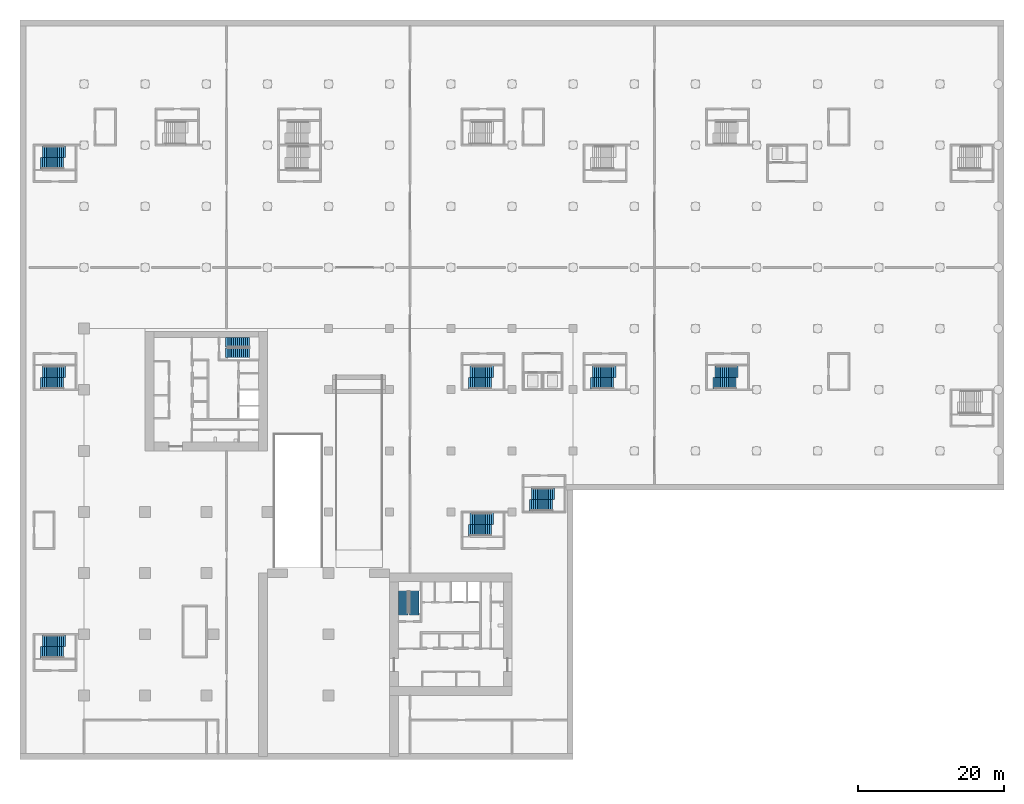
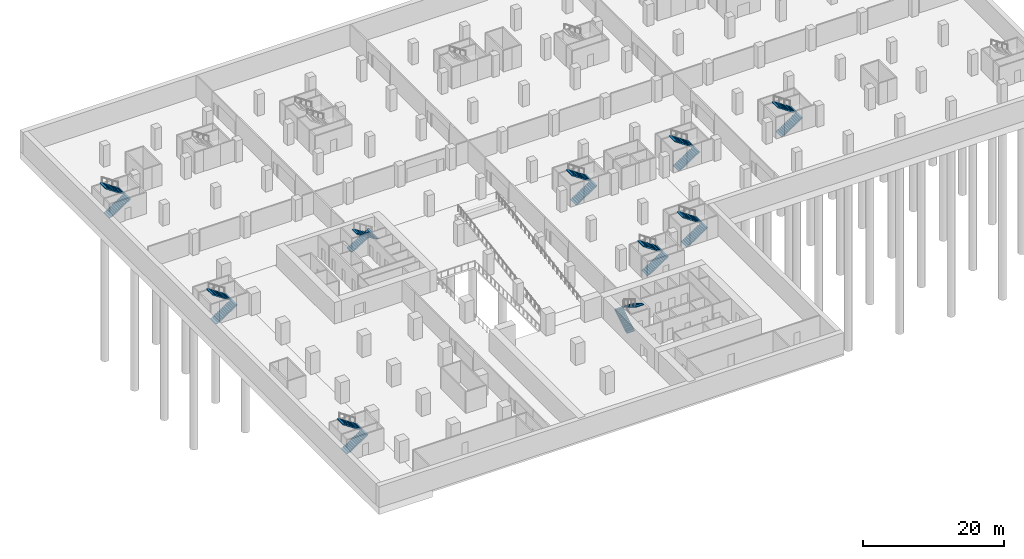
# One storey, part 14 of 19: 20 stair flights, 10 elements without a shape of their own.
"""IFC4 building model written with IfcOpenShell, lengths in metres."""

import ifcopenshell
import ifcopenshell.guid

model = None  # the IFC model being written
_history = None  # IfcOwnerHistory: only IFC2X3 demands one
_inside = {}  # id of a spatial element -> (the spatial element, [elements in it])
_under = {}  # id of a project, library or spatial element -> (it, [spatial elements below it])
_declared = {}  # id of a project -> (the project, [libraries it declares])
_typed = {}  # id of a type object -> (the type object, [elements of that type])
_made_of = {}  # id of a material, layer set ... -> (it, [elements and type objects made of it])


def new_model(schema):
    """Start an empty IFC model of exactly this schema.

    Asked for "IFC4X3", IfcOpenShell would pick the latest addendum, in which some entities
    have other attributes; the version numbers below select the first issue.
    IFC2X3 requires an IfcOwnerHistory on every rooted entity: one is made here for all.
    """
    global model, _history
    if schema == "IFC4X3":
        model = ifcopenshell.file(schema_version=(4, 3, 0, 0))
    else:
        model = ifcopenshell.file(schema=schema)
    _inside.clear()
    _under.clear()
    _declared.clear()
    _typed.clear()
    _made_of.clear()
    _history = None
    if model.schema == "IFC2X3":
        org = make("IfcOrganization", Name="unknown")
        user = make(
            "IfcPersonAndOrganization",
            ThePerson=make("IfcPerson", FamilyName="unknown"),
            TheOrganization=org,
        )
        app = make(
            "IfcApplication",
            ApplicationDeveloper=org,
            Version="unknown",
            ApplicationFullName="unknown",
            ApplicationIdentifier="unknown",
        )
        _history = make(
            "IfcOwnerHistory",
            OwningUser=user,
            OwningApplication=app,
            ChangeAction="ADDED",
            CreationDate=0,
        )
    return model


def make(cls, **values):
    """One entity of the class cls with the attributes given. An attribute that is None is left unset."""
    return model.create_entity(
        cls, **{name: value for name, value in values.items() if value is not None}
    )


def rooted(cls, **values):
    """An entity with a GlobalId (a new one), such as an element, a storey or a relation."""
    return make(cls, GlobalId=ifcopenshell.guid.new(), OwnerHistory=_history, **values)


def si_unit(unit_type, name, prefix=None):
    """IfcSIUnit, for example si_unit("LENGTHUNIT", "METRE", prefix="MILLI")."""
    return make("IfcSIUnit", UnitType=unit_type, Prefix=prefix, Name=name)


def assignment(units):
    """IfcUnitAssignment: the units of a project."""
    return None if units is None else make("IfcUnitAssignment", Units=units)


def point(xyz):
    """IfcCartesianPoint."""
    return None if xyz is None else make("IfcCartesianPoint", Coordinates=xyz)


def direction(xyz):
    """IfcDirection."""
    return None if xyz is None else make("IfcDirection", DirectionRatios=xyz)


def frame(location, z_axis=None, x_axis=None):
    """IfcAxis2Placement3D, a coordinate frame: its origin and axes. An axis left out is left unset."""
    return make(
        "IfcAxis2Placement3D",
        Location=point(location),
        Axis=direction(z_axis),
        RefDirection=direction(x_axis),
    )


def origin():
    """The frame at (0, 0, 0) with its axes left unset."""
    return frame((0.0, 0.0, 0.0))


def place(relative_to, where):
    """IfcLocalPlacement: puts the frame where relative to a parent placement (None: the world)."""
    return make(
        "IfcLocalPlacement", PlacementRelTo=relative_to, RelativePlacement=where
    )


def context(
    kind, dimensions, precision=None, world=None, true_north=None, identifier=None
):
    """IfcGeometricRepresentationContext, for example the 3D "Model" context."""
    return make(
        "IfcGeometricRepresentationContext",
        ContextIdentifier=identifier,
        ContextType=kind,
        CoordinateSpaceDimension=dimensions,
        Precision=precision,
        WorldCoordinateSystem=world,
        TrueNorth=true_north,
    )


def subcontext(parent, identifier, kind, view, scale=None):
    """IfcGeometricRepresentationSubContext, for example "Body" below "Model"."""
    return make(
        "IfcGeometricRepresentationSubContext",
        ContextIdentifier=identifier,
        ContextType=kind,
        ParentContext=parent,
        TargetScale=scale,
        TargetView=view,
    )


def project(units=None, contexts=None):
    """IfcProject with its units and contexts."""
    return rooted(
        "IfcProject",
        Name="project",
        RepresentationContexts=contexts,
        UnitsInContext=assignment(units),
    )


def spatial(cls, under=None, at=None, **own):
    """A site, building, storey or space (cls), placed at a placement, below another one or the project."""
    s = rooted(cls, ObjectPlacement=at, **own)
    if under is not None:
        _under.setdefault(under.id(), (under, []))[1].append(s)
    return s


def polyline(points):
    """IfcPolyline through the points."""
    return make("IfcPolyline", Points=[point(p) for p in points])


def outline(outer, holes=None, kind="AREA"):
    """IfcArbitraryClosedProfileDef: a profile drawn as a closed curve; with holes, ...WithVoids."""
    if holes is None:
        return make("IfcArbitraryClosedProfileDef", ProfileType=kind, OuterCurve=outer)
    return make(
        "IfcArbitraryProfileDefWithVoids",
        ProfileType=kind,
        OuterCurve=outer,
        InnerCurves=holes,
    )


def extrude(swept, where, along, depth):
    """IfcExtrudedAreaSolid: the profile swept, set in the frame where, extruded along a direction by depth."""
    return make(
        "IfcExtrudedAreaSolid",
        SweptArea=swept,
        Position=where,
        ExtrudedDirection=direction(along),
        Depth=depth,
    )


def shape(context_of_items, identifier, shape_type, items):
    """IfcShapeRepresentation: the items that make up one representation, for example the "Body"."""
    return make(
        "IfcShapeRepresentation",
        ContextOfItems=context_of_items,
        RepresentationIdentifier=identifier,
        RepresentationType=shape_type,
        Items=items,
    )


def material(Name=None, Category=None):
    """IfcMaterial."""
    return make("IfcMaterial", Name=Name, Category=Category)


def made_of(thing, what):
    """Note that an element or type object is made of a material, layer set ...; save() writes the relation."""
    if what is not None:
        _made_of.setdefault(what.id(), (what, []))[1].append(thing)
    return thing


def type_object(cls, material=None, **own):
    """A type object (cls), such as IfcWallType, which elements share."""
    return made_of(rooted(cls, **own), material)


def element(
    cls,
    number,
    at=None,
    inside=None,
    cuts=None,
    type_object=None,
    material=None,
    context=None,
    identifier="Body",
    shape_type=None,
    held_by="IfcProductDefinitionShape",
    body=None,
    shapes=None,
    **own,
):
    """One element of the class cls, such as IfcWall. Its Tag is "e" and its number.

    at: its placement. inside: the storey or other place that contains it. cuts: it is an
    opening in that element (IfcRelVoidsElement). A single representation is given by context,
    identifier, shape_type and body (its items); several are given by shapes. held_by: the class
    of the entity that holds the representations. save() writes the other relations.
    """
    e = rooted(cls, Tag="e%d" % number, ObjectPlacement=at, **own)
    if body is not None:
        shapes = [shape(context, identifier, shape_type, body)]
    if shapes is not None:
        e.Representation = make(held_by, Representations=shapes)
    if inside is not None:
        _inside.setdefault(inside.id(), (inside, []))[1].append(e)
    if cuts is not None:
        rooted(
            "IfcRelVoidsElement", RelatingBuildingElement=cuts, RelatedOpeningElement=e
        )
    if type_object is not None:
        _typed.setdefault(type_object.id(), (type_object, []))[1].append(e)
    return made_of(e, material)


def aggregate(whole, parts):
    """IfcRelAggregates: a whole, such as a stair, and the parts it consists of."""
    return rooted("IfcRelAggregates", RelatingObject=whole, RelatedObjects=parts)


def save(model, path):
    """Write the relations noted so far, then the file.

    IfcRelAggregates (storeys below a building ...), IfcRelContainedInSpatialStructure (elements
    in a storey), IfcRelDefinesByType, IfcRelAssociatesMaterial and IfcRelDeclares: one each for
    every whole, place, type object, material and project.
    """
    for whole, parts in _under.values():
        aggregate(whole, parts)
    for where, things in _inside.values():
        rooted(
            "IfcRelContainedInSpatialStructure",
            RelatedElements=things,
            RelatingStructure=where,
        )
    for kind, things in _typed.values():
        rooted("IfcRelDefinesByType", RelatedObjects=things, RelatingType=kind)
    for what, things in _made_of.values():
        rooted("IfcRelAssociatesMaterial", RelatedObjects=things, RelatingMaterial=what)
    for by, libraries in _declared.values():
        rooted("IfcRelDeclares", RelatingContext=by, RelatedDefinitions=libraries)
    model.write(path)


model = new_model("IFC4")

# Units and contexts
model_context = context("Model", 3, precision=1e-05, world=origin(), true_north=direction((0.0, 1.0)))
body_context = subcontext(model_context, "Body", "Model", "MODEL_VIEW")
ifc_project = project(units=[si_unit("LENGTHUNIT", "METRE"), si_unit("AREAUNIT", "SQUARE_METRE"), si_unit("VOLUMEUNIT", "CUBIC_METRE"), si_unit("PLANEANGLEUNIT", "RADIAN"), si_unit("MASSUNIT", "GRAM", prefix="KILO")], contexts=[model_context])

# Site, building, storey
site_placement = place(None, origin())
site = spatial("IfcSite", under=ifc_project, at=site_placement, CompositionType="ELEMENT")
building_placement = place(site_placement, origin())
building = spatial("IfcBuilding", under=site, at=building_placement, Name="Vermilion Gate Residences", CompositionType="ELEMENT")
storey_placement = place(building_placement, frame((0.0, 0.0, -8.0)))
storey = spatial("IfcBuildingStorey", under=building, at=storey_placement, Name="B2", CompositionType="ELEMENT", Elevation=-8.0)

# Stair, stair flights
ifc_material_1 = material(Name="Concrete C30", Category="concrete")
stair_type_1 = type_object("IfcStairType", Name="ESCAPE STAIR 1200 (AMENITY)", PredefinedType="HALF_TURN_STAIR", material=ifc_material_1)
stair_1_placement = place(storey_placement, origin())
stair_1 = element("IfcStair", 1, at=stair_1_placement, inside=storey, type_object=stair_type_1, Name="Garage escape stair 1 B2 to B1", PredefinedType="HALF_TURN_STAIR")
ifc_material_2 = material(Name="Concrete C30", Category="concrete")
stair_flight_type_1 = type_object("IfcStairFlightType", Name="ESCAPE STAIR FLIGHT 1200 (AMENITY)", PredefinedType="STRAIGHT", material=ifc_material_2)
stair_flight_1_placement = place(storey_placement, frame((-5.699951171875, 14.300048828125, 0.0), z_axis=(0.0, 0.0, 1.0), x_axis=(1.0, 0.0, 0.0)))
stair_flight_1 = element("IfcStairFlight", 2, at=stair_flight_1_placement, type_object=stair_flight_type_1, Name="STG1 flight 1", NumberOfRisers=12, NumberOfTreads=11, PredefinedType="STRAIGHT", RiserHeight=0.173913043, TreadLength=0.26, context=body_context, shape_type="SweptSolid", body=[
    extrude(outline(polyline([(-0.300048828125, -0.14990234375), (-0.300048828125, -0.030029296875), (0.0, 0.0), (0.0, 0.173828125), (0.260009765625, 0.173828125), (0.260009765625, 0.347900390625), (0.52001953125, 0.347900390625), (0.52001953125, 0.521728515625), (0.780029296875, 0.521728515625), (0.780029296875, 0.695556640625), (1.0400390625, 0.695556640625), (1.0400390625, 0.86962890625), (1.300048828125, 0.86962890625), (1.300048828125, 1.04345703125), (1.56005859375, 1.04345703125), (1.56005859375, 1.21728515625), (1.820068359375, 1.21728515625), (1.820068359375, 1.391357421875), (2.080078125, 1.391357421875), (2.080078125, 1.565185546875), (2.340087890625, 1.565185546875), (2.340087890625, 1.739013671875), (2.60009765625, 1.739013671875), (2.60009765625, 1.9130859375), (2.860107421875, 1.9130859375), (2.860107421875, 2.0869140625), (3.159912109375, 2.056884765625), (3.159912109375, 1.93701171875), (2.860107421875, 1.732666015625), (0.26953125, 0.0), (-0.300048828125, -0.14990234375)])), frame((0.0, 0.800048828125, 0.0), z_axis=(0.0, -1.0, 0.0), x_axis=(1.0, 0.0, 0.0)), (0.0, 0.0, 1.0), 1.60009765625),
])
stair_flight_2_placement = place(storey_placement, frame((-2.840087890625, 15.89990234375, 2.0869140625), z_axis=(0.0, 0.0, 1.0), x_axis=(-1.0, 0.0, 0.0)))
stair_flight_2 = element("IfcStairFlight", 3, at=stair_flight_2_placement, type_object=stair_flight_type_1, Name="STG1 flight 2", NumberOfRisers=11, NumberOfTreads=10, PredefinedType="STRAIGHT", RiserHeight=0.173913043, TreadLength=0.26, context=body_context, shape_type="SweptSolid", body=[
    extrude(outline(polyline([(-0.300048828125, -0.14990234375), (-0.300048828125, -0.030029296875), (0.0, 0.0), (0.0, 0.173828125), (0.260009765625, 0.173828125), (0.260009765625, 0.347900390625), (0.52001953125, 0.347900390625), (0.52001953125, 0.521728515625), (0.780029296875, 0.521728515625), (0.780029296875, 0.695556640625), (1.0400390625, 0.695556640625), (1.0400390625, 0.86962890625), (1.300048828125, 0.86962890625), (1.300048828125, 1.04345703125), (1.56005859375, 1.04345703125), (1.56005859375, 1.21728515625), (1.820068359375, 1.21728515625), (1.820068359375, 1.391357421875), (2.080078125, 1.391357421875), (2.080078125, 1.565185546875), (2.340087890625, 1.565185546875), (2.340087890625, 1.739013671875), (2.60009765625, 1.739013671875), (2.60009765625, 1.9130859375), (2.89990234375, 1.883056640625), (2.89990234375, 1.76318359375), (2.60009765625, 1.558837890625), (0.26953125, 0.0), (-0.300048828125, -0.14990234375)])), frame((0.0, 0.800048828125, 0.0), z_axis=(0.0, -1.0, 0.0), x_axis=(1.0, 0.0, 0.0)), (0.0, 0.0, 1.0), 1.60009765625),
])
aggregate(stair_1, [stair_flight_1, stair_flight_2])

stair_2_placement = place(storey_placement, origin())
stair_2 = element("IfcStair", 4, at=stair_2_placement, inside=storey, type_object=stair_type_1, Name="Garage escape stair 2 B2 to B1", PredefinedType="HALF_TURN_STAIR")
stair_flight_3_placement = place(storey_placement, frame((-5.699951171875, 51.300048828125, 0.0), z_axis=(0.0, 0.0, 1.0), x_axis=(1.0, 0.0, 0.0)))
stair_flight_3 = element("IfcStairFlight", 5, at=stair_flight_3_placement, type_object=stair_flight_type_1, Name="STG2 flight 1", NumberOfRisers=12, NumberOfTreads=11, PredefinedType="STRAIGHT", RiserHeight=0.173913043, TreadLength=0.26, context=body_context, shape_type="SweptSolid", body=[
    extrude(outline(polyline([(-0.300048828125, -0.14990234375), (-0.300048828125, -0.030029296875), (0.0, 0.0), (0.0, 0.173828125), (0.260009765625, 0.173828125), (0.260009765625, 0.347900390625), (0.52001953125, 0.347900390625), (0.52001953125, 0.521728515625), (0.780029296875, 0.521728515625), (0.780029296875, 0.695556640625), (1.0400390625, 0.695556640625), (1.0400390625, 0.86962890625), (1.300048828125, 0.86962890625), (1.300048828125, 1.04345703125), (1.56005859375, 1.04345703125), (1.56005859375, 1.21728515625), (1.820068359375, 1.21728515625), (1.820068359375, 1.391357421875), (2.080078125, 1.391357421875), (2.080078125, 1.565185546875), (2.340087890625, 1.565185546875), (2.340087890625, 1.739013671875), (2.60009765625, 1.739013671875), (2.60009765625, 1.9130859375), (2.860107421875, 1.9130859375), (2.860107421875, 2.0869140625), (3.159912109375, 2.056884765625), (3.159912109375, 1.93701171875), (2.860107421875, 1.732666015625), (0.26953125, 0.0), (-0.300048828125, -0.14990234375)])), frame((0.0, 0.800048828125, 0.0), z_axis=(0.0, -1.0, 0.0), x_axis=(1.0, 0.0, 0.0)), (0.0, 0.0, 1.0), 1.60009765625),
])
stair_flight_4_placement = place(storey_placement, frame((-2.840087890625, 52.89990234375, 2.0869140625), z_axis=(0.0, 0.0, 1.0), x_axis=(-1.0, 0.0, 0.0)))
stair_flight_4 = element("IfcStairFlight", 6, at=stair_flight_4_placement, type_object=stair_flight_type_1, Name="STG2 flight 2", NumberOfRisers=11, NumberOfTreads=10, PredefinedType="STRAIGHT", RiserHeight=0.173913043, TreadLength=0.26, context=body_context, shape_type="SweptSolid", body=[
    extrude(outline(polyline([(-0.300048828125, -0.14990234375), (-0.300048828125, -0.030029296875), (0.0, 0.0), (0.0, 0.173828125), (0.260009765625, 0.173828125), (0.260009765625, 0.347900390625), (0.52001953125, 0.347900390625), (0.52001953125, 0.521728515625), (0.780029296875, 0.521728515625), (0.780029296875, 0.695556640625), (1.0400390625, 0.695556640625), (1.0400390625, 0.86962890625), (1.300048828125, 0.86962890625), (1.300048828125, 1.04345703125), (1.56005859375, 1.04345703125), (1.56005859375, 1.21728515625), (1.820068359375, 1.21728515625), (1.820068359375, 1.391357421875), (2.080078125, 1.391357421875), (2.080078125, 1.565185546875), (2.340087890625, 1.565185546875), (2.340087890625, 1.739013671875), (2.60009765625, 1.739013671875), (2.60009765625, 1.9130859375), (2.89990234375, 1.883056640625), (2.89990234375, 1.76318359375), (2.60009765625, 1.558837890625), (0.26953125, 0.0), (-0.300048828125, -0.14990234375)])), frame((0.0, 0.800048828125, 0.0), z_axis=(0.0, -1.0, 0.0), x_axis=(1.0, 0.0, 0.0)), (0.0, 0.0, 1.0), 1.60009765625),
])
aggregate(stair_2, [stair_flight_3, stair_flight_4])

stair_3_placement = place(storey_placement, origin())
stair_3 = element("IfcStair", 7, at=stair_3_placement, inside=storey, type_object=stair_type_1, Name="Garage escape stair 3 B2 to B1", PredefinedType="HALF_TURN_STAIR")
stair_flight_5_placement = place(storey_placement, frame((69.89990234375, 51.300048828125, 0.0), z_axis=(0.0, 0.0, 1.0), x_axis=(1.0, 0.0, 0.0)))
stair_flight_5 = element("IfcStairFlight", 8, at=stair_flight_5_placement, type_object=stair_flight_type_1, Name="STG3 flight 1", NumberOfRisers=12, NumberOfTreads=11, PredefinedType="STRAIGHT", RiserHeight=0.173913043, TreadLength=0.26, context=body_context, shape_type="SweptSolid", body=[
    extrude(outline(polyline([(-0.300048828125, -0.14990234375), (-0.300048828125, -0.030029296875), (0.0, 0.0), (0.0, 0.173828125), (0.260009765625, 0.173828125), (0.260009765625, 0.347900390625), (0.52001953125, 0.347900390625), (0.52001953125, 0.521728515625), (0.780029296875, 0.521728515625), (0.780029296875, 0.695556640625), (1.0400390625, 0.695556640625), (1.0400390625, 0.86962890625), (1.300048828125, 0.86962890625), (1.300048828125, 1.04345703125), (1.56005859375, 1.04345703125), (1.56005859375, 1.21728515625), (1.820068359375, 1.21728515625), (1.820068359375, 1.391357421875), (2.080078125, 1.391357421875), (2.080078125, 1.565185546875), (2.340087890625, 1.565185546875), (2.340087890625, 1.739013671875), (2.60009765625, 1.739013671875), (2.60009765625, 1.9130859375), (2.860107421875, 1.9130859375), (2.860107421875, 2.0869140625), (3.159912109375, 2.056884765625), (3.159912109375, 1.93701171875), (2.860107421875, 1.732666015625), (0.26953125, 0.0), (-0.300048828125, -0.14990234375)])), frame((0.0, 0.800048828125, 0.0), z_axis=(0.0, -1.0, 0.0), x_axis=(1.0, 0.0, 0.0)), (0.0, 0.0, 1.0), 1.60009765625),
])
stair_flight_6_placement = place(storey_placement, frame((72.760009765625, 52.89990234375, 2.0869140625), z_axis=(0.0, 0.0, 1.0), x_axis=(-1.0, 0.0, 0.0)))
stair_flight_6 = element("IfcStairFlight", 9, at=stair_flight_6_placement, type_object=stair_flight_type_1, Name="STG3 flight 2", NumberOfRisers=11, NumberOfTreads=10, PredefinedType="STRAIGHT", RiserHeight=0.173913043, TreadLength=0.26, context=body_context, shape_type="SweptSolid", body=[
    extrude(outline(polyline([(-0.300048828125, -0.14990234375), (-0.300048828125, -0.030029296875), (0.0, 0.0), (0.0, 0.173828125), (0.260009765625, 0.173828125), (0.260009765625, 0.347900390625), (0.52001953125, 0.347900390625), (0.52001953125, 0.521728515625), (0.780029296875, 0.521728515625), (0.780029296875, 0.695556640625), (1.0400390625, 0.695556640625), (1.0400390625, 0.86962890625), (1.300048828125, 0.86962890625), (1.300048828125, 1.04345703125), (1.56005859375, 1.04345703125), (1.56005859375, 1.21728515625), (1.820068359375, 1.21728515625), (1.820068359375, 1.391357421875), (2.080078125, 1.391357421875), (2.080078125, 1.565185546875), (2.340087890625, 1.565185546875), (2.340087890625, 1.739013671875), (2.60009765625, 1.739013671875), (2.60009765625, 1.9130859375), (2.89990234375, 1.883056640625), (2.89990234375, 1.76318359375), (2.60009765625, 1.558837890625), (0.26953125, 0.0), (-0.300048828125, -0.14990234375)])), frame((0.0, 0.800048828125, 0.0), z_axis=(0.0, -1.0, 0.0), x_axis=(1.0, 0.0, 0.0)), (0.0, 0.0, 1.0), 1.60009765625),
])
aggregate(stair_3, [stair_flight_5, stair_flight_6])

stair_4_placement = place(storey_placement, origin())
stair_4 = element("IfcStair", 10, at=stair_4_placement, inside=storey, type_object=stair_type_1, Name="Garage escape stair 4 B2 to B1", PredefinedType="HALF_TURN_STAIR")
stair_flight_7_placement = place(storey_placement, frame((53.10009765625, 31.10009765625, 0.0), z_axis=(0.0, 0.0, 1.0), x_axis=(1.0, 0.0, 0.0)))
stair_flight_7 = element("IfcStairFlight", 11, at=stair_flight_7_placement, type_object=stair_flight_type_1, Name="STG4 flight 1", NumberOfRisers=12, NumberOfTreads=11, PredefinedType="STRAIGHT", RiserHeight=0.173913043, TreadLength=0.26, context=body_context, shape_type="SweptSolid", body=[
    extrude(outline(polyline([(-0.300048828125, -0.14990234375), (-0.300048828125, -0.030029296875), (0.0, 0.0), (0.0, 0.173828125), (0.260009765625, 0.173828125), (0.260009765625, 0.347900390625), (0.52001953125, 0.347900390625), (0.52001953125, 0.521728515625), (0.780029296875, 0.521728515625), (0.780029296875, 0.695556640625), (1.0400390625, 0.695556640625), (1.0400390625, 0.86962890625), (1.300048828125, 0.86962890625), (1.300048828125, 1.04345703125), (1.56005859375, 1.04345703125), (1.56005859375, 1.21728515625), (1.820068359375, 1.21728515625), (1.820068359375, 1.391357421875), (2.080078125, 1.391357421875), (2.080078125, 1.565185546875), (2.340087890625, 1.565185546875), (2.340087890625, 1.739013671875), (2.60009765625, 1.739013671875), (2.60009765625, 1.9130859375), (2.860107421875, 1.9130859375), (2.860107421875, 2.0869140625), (3.159912109375, 2.056884765625), (3.159912109375, 1.93701171875), (2.860107421875, 1.732666015625), (0.26953125, 0.0), (-0.300048828125, -0.14990234375)])), frame((0.0, 0.800048828125, 0.0), z_axis=(0.0, -1.0, 0.0), x_axis=(1.0, 0.0, 0.0)), (0.0, 0.0, 1.0), 1.60009765625),
])
stair_flight_8_placement = place(storey_placement, frame((55.9599609375, 32.699951171875, 2.0869140625), z_axis=(0.0, 0.0, 1.0), x_axis=(-1.0, 0.0, 0.0)))
stair_flight_8 = element("IfcStairFlight", 12, at=stair_flight_8_placement, type_object=stair_flight_type_1, Name="STG4 flight 2", NumberOfRisers=11, NumberOfTreads=10, PredefinedType="STRAIGHT", RiserHeight=0.173913043, TreadLength=0.26, context=body_context, shape_type="SweptSolid", body=[
    extrude(outline(polyline([(-0.300048828125, -0.14990234375), (-0.300048828125, -0.030029296875), (0.0, 0.0), (0.0, 0.173828125), (0.260009765625, 0.173828125), (0.260009765625, 0.347900390625), (0.52001953125, 0.347900390625), (0.52001953125, 0.521728515625), (0.780029296875, 0.521728515625), (0.780029296875, 0.695556640625), (1.0400390625, 0.695556640625), (1.0400390625, 0.86962890625), (1.300048828125, 0.86962890625), (1.300048828125, 1.04345703125), (1.56005859375, 1.04345703125), (1.56005859375, 1.21728515625), (1.820068359375, 1.21728515625), (1.820068359375, 1.391357421875), (2.080078125, 1.391357421875), (2.080078125, 1.565185546875), (2.340087890625, 1.565185546875), (2.340087890625, 1.739013671875), (2.60009765625, 1.739013671875), (2.60009765625, 1.9130859375), (2.89990234375, 1.883056640625), (2.89990234375, 1.76318359375), (2.60009765625, 1.558837890625), (0.26953125, 0.0), (-0.300048828125, -0.14990234375)])), frame((0.0, 0.800048828125, 0.0), z_axis=(0.0, -1.0, 0.0), x_axis=(1.0, 0.0, 0.0)), (0.0, 0.0, 1.0), 1.60009765625),
])
aggregate(stair_4, [stair_flight_7, stair_flight_8])

stair_5_placement = place(storey_placement, origin())
stair_5 = element("IfcStair", 13, at=stair_5_placement, inside=storey, type_object=stair_type_1, Name="Garage escape stair 6 B2 to B1", PredefinedType="HALF_TURN_STAIR")
stair_flight_9_placement = place(storey_placement, frame((86.699951171875, 51.300048828125, 0.0), z_axis=(0.0, 0.0, 1.0), x_axis=(1.0, 0.0, 0.0)))
stair_flight_9 = element("IfcStairFlight", 14, at=stair_flight_9_placement, type_object=stair_flight_type_1, Name="STG6 flight 1", NumberOfRisers=12, NumberOfTreads=11, PredefinedType="STRAIGHT", RiserHeight=0.173913043, TreadLength=0.26, context=body_context, shape_type="SweptSolid", body=[
    extrude(outline(polyline([(-0.300048828125, -0.14990234375), (-0.300048828125, -0.030029296875), (0.0, 0.0), (0.0, 0.173828125), (0.260009765625, 0.173828125), (0.260009765625, 0.347900390625), (0.52001953125, 0.347900390625), (0.52001953125, 0.521728515625), (0.780029296875, 0.521728515625), (0.780029296875, 0.695556640625), (1.0400390625, 0.695556640625), (1.0400390625, 0.86962890625), (1.300048828125, 0.86962890625), (1.300048828125, 1.04345703125), (1.56005859375, 1.04345703125), (1.56005859375, 1.21728515625), (1.820068359375, 1.21728515625), (1.820068359375, 1.391357421875), (2.080078125, 1.391357421875), (2.080078125, 1.565185546875), (2.340087890625, 1.565185546875), (2.340087890625, 1.739013671875), (2.60009765625, 1.739013671875), (2.60009765625, 1.9130859375), (2.860107421875, 1.9130859375), (2.860107421875, 2.0869140625), (3.159912109375, 2.056884765625), (3.159912109375, 1.93701171875), (2.860107421875, 1.732666015625), (0.26953125, 0.0), (-0.300048828125, -0.14990234375)])), frame((0.0, 0.800048828125, 0.0), z_axis=(0.0, -1.0, 0.0), x_axis=(1.0, 0.0, 0.0)), (0.0, 0.0, 1.0), 1.60009765625),
])
stair_flight_10_placement = place(storey_placement, frame((89.56005859375, 52.89990234375, 2.0869140625), z_axis=(0.0, 0.0, 1.0), x_axis=(-1.0, 0.0, 0.0)))
stair_flight_10 = element("IfcStairFlight", 15, at=stair_flight_10_placement, type_object=stair_flight_type_1, Name="STG6 flight 2", NumberOfRisers=11, NumberOfTreads=10, PredefinedType="STRAIGHT", RiserHeight=0.173913043, TreadLength=0.26, context=body_context, shape_type="SweptSolid", body=[
    extrude(outline(polyline([(-0.300048828125, -0.14990234375), (-0.300048828125, -0.030029296875), (0.0, 0.0), (0.0, 0.173828125), (0.260009765625, 0.173828125), (0.260009765625, 0.347900390625), (0.52001953125, 0.347900390625), (0.52001953125, 0.521728515625), (0.780029296875, 0.521728515625), (0.780029296875, 0.695556640625), (1.0400390625, 0.695556640625), (1.0400390625, 0.86962890625), (1.300048828125, 0.86962890625), (1.300048828125, 1.04345703125), (1.56005859375, 1.04345703125), (1.56005859375, 1.21728515625), (1.820068359375, 1.21728515625), (1.820068359375, 1.391357421875), (2.080078125, 1.391357421875), (2.080078125, 1.565185546875), (2.340087890625, 1.565185546875), (2.340087890625, 1.739013671875), (2.60009765625, 1.739013671875), (2.60009765625, 1.9130859375), (2.89990234375, 1.883056640625), (2.89990234375, 1.76318359375), (2.60009765625, 1.558837890625), (0.26953125, 0.0), (-0.300048828125, -0.14990234375)])), frame((0.0, 0.800048828125, 0.0), z_axis=(0.0, -1.0, 0.0), x_axis=(1.0, 0.0, 0.0)), (0.0, 0.0, 1.0), 1.60009765625),
])
aggregate(stair_5, [stair_flight_9, stair_flight_10])

stair_6_placement = place(storey_placement, origin())
stair_6 = element("IfcStair", 16, at=stair_6_placement, inside=storey, type_object=stair_type_1, Name="Garage escape stair 7 B2 to B1", PredefinedType="HALF_TURN_STAIR")
stair_flight_11_placement = place(storey_placement, frame((-5.699951171875, 81.5, 0.0), z_axis=(0.0, 0.0, 1.0), x_axis=(1.0, 0.0, 0.0)))
stair_flight_11 = element("IfcStairFlight", 17, at=stair_flight_11_placement, type_object=stair_flight_type_1, Name="STG7 flight 1", NumberOfRisers=12, NumberOfTreads=11, PredefinedType="STRAIGHT", RiserHeight=0.173913043, TreadLength=0.26, context=body_context, shape_type="SweptSolid", body=[
    extrude(outline(polyline([(-0.300048828125, -0.14990234375), (-0.300048828125, -0.030029296875), (0.0, 0.0), (0.0, 0.173828125), (0.260009765625, 0.173828125), (0.260009765625, 0.347900390625), (0.52001953125, 0.347900390625), (0.52001953125, 0.521728515625), (0.780029296875, 0.521728515625), (0.780029296875, 0.695556640625), (1.0400390625, 0.695556640625), (1.0400390625, 0.86962890625), (1.300048828125, 0.86962890625), (1.300048828125, 1.04345703125), (1.56005859375, 1.04345703125), (1.56005859375, 1.21728515625), (1.820068359375, 1.21728515625), (1.820068359375, 1.391357421875), (2.080078125, 1.391357421875), (2.080078125, 1.565185546875), (2.340087890625, 1.565185546875), (2.340087890625, 1.739013671875), (2.60009765625, 1.739013671875), (2.60009765625, 1.9130859375), (2.860107421875, 1.9130859375), (2.860107421875, 2.0869140625), (3.159912109375, 2.056884765625), (3.159912109375, 1.93701171875), (2.860107421875, 1.732666015625), (0.26953125, 0.0), (-0.300048828125, -0.14990234375)])), frame((0.0, 0.800048828125, 0.0), z_axis=(0.0, -1.0, 0.0), x_axis=(1.0, 0.0, 0.0)), (0.0, 0.0, 1.0), 1.60009765625),
])
stair_flight_12_placement = place(storey_placement, frame((-2.840087890625, 83.10009765625, 2.0869140625), z_axis=(0.0, 0.0, 1.0), x_axis=(-1.0, 0.0, 0.0)))
stair_flight_12 = element("IfcStairFlight", 18, at=stair_flight_12_placement, type_object=stair_flight_type_1, Name="STG7 flight 2", NumberOfRisers=11, NumberOfTreads=10, PredefinedType="STRAIGHT", RiserHeight=0.173913043, TreadLength=0.26, context=body_context, shape_type="SweptSolid", body=[
    extrude(outline(polyline([(-0.300048828125, -0.14990234375), (-0.300048828125, -0.030029296875), (0.0, 0.0), (0.0, 0.173828125), (0.260009765625, 0.173828125), (0.260009765625, 0.347900390625), (0.52001953125, 0.347900390625), (0.52001953125, 0.521728515625), (0.780029296875, 0.521728515625), (0.780029296875, 0.695556640625), (1.0400390625, 0.695556640625), (1.0400390625, 0.86962890625), (1.300048828125, 0.86962890625), (1.300048828125, 1.04345703125), (1.56005859375, 1.04345703125), (1.56005859375, 1.21728515625), (1.820068359375, 1.21728515625), (1.820068359375, 1.391357421875), (2.080078125, 1.391357421875), (2.080078125, 1.565185546875), (2.340087890625, 1.565185546875), (2.340087890625, 1.739013671875), (2.60009765625, 1.739013671875), (2.60009765625, 1.9130859375), (2.89990234375, 1.883056640625), (2.89990234375, 1.76318359375), (2.60009765625, 1.558837890625), (0.26953125, 0.0), (-0.300048828125, -0.14990234375)])), frame((0.0, 0.800048828125, 0.0), z_axis=(0.0, -1.0, 0.0), x_axis=(1.0, 0.0, 0.0)), (0.0, 0.0, 1.0), 1.60009765625),
])
aggregate(stair_6, [stair_flight_11, stair_flight_12])

stair_7_placement = place(storey_placement, origin())
stair_7 = element("IfcStair", 19, at=stair_7_placement, inside=storey, type_object=stair_type_1, Name="Garage escape stair 15 B2 to B1", PredefinedType="HALF_TURN_STAIR")
stair_flight_13_placement = place(storey_placement, frame((53.10009765625, 51.300048828125, 0.0), z_axis=(0.0, 0.0, 1.0), x_axis=(1.0, 0.0, 0.0)))
stair_flight_13 = element("IfcStairFlight", 20, at=stair_flight_13_placement, type_object=stair_flight_type_1, Name="STG15 flight 1", NumberOfRisers=12, NumberOfTreads=11, PredefinedType="STRAIGHT", RiserHeight=0.173913043, TreadLength=0.26, context=body_context, shape_type="SweptSolid", body=[
    extrude(outline(polyline([(-0.300048828125, -0.14990234375), (-0.300048828125, -0.030029296875), (0.0, 0.0), (0.0, 0.173828125), (0.260009765625, 0.173828125), (0.260009765625, 0.347900390625), (0.52001953125, 0.347900390625), (0.52001953125, 0.521728515625), (0.780029296875, 0.521728515625), (0.780029296875, 0.695556640625), (1.0400390625, 0.695556640625), (1.0400390625, 0.86962890625), (1.300048828125, 0.86962890625), (1.300048828125, 1.04345703125), (1.56005859375, 1.04345703125), (1.56005859375, 1.21728515625), (1.820068359375, 1.21728515625), (1.820068359375, 1.391357421875), (2.080078125, 1.391357421875), (2.080078125, 1.565185546875), (2.340087890625, 1.565185546875), (2.340087890625, 1.739013671875), (2.60009765625, 1.739013671875), (2.60009765625, 1.9130859375), (2.860107421875, 1.9130859375), (2.860107421875, 2.0869140625), (3.159912109375, 2.056884765625), (3.159912109375, 1.93701171875), (2.860107421875, 1.732666015625), (0.26953125, 0.0), (-0.300048828125, -0.14990234375)])), frame((0.0, 0.800048828125, 0.0), z_axis=(0.0, -1.0, 0.0), x_axis=(1.0, 0.0, 0.0)), (0.0, 0.0, 1.0), 1.60009765625),
])
stair_flight_14_placement = place(storey_placement, frame((55.9599609375, 52.89990234375, 2.0869140625), z_axis=(0.0, 0.0, 1.0), x_axis=(-1.0, 0.0, 0.0)))
stair_flight_14 = element("IfcStairFlight", 21, at=stair_flight_14_placement, type_object=stair_flight_type_1, Name="STG15 flight 2", NumberOfRisers=11, NumberOfTreads=10, PredefinedType="STRAIGHT", RiserHeight=0.173913043, TreadLength=0.26, context=body_context, shape_type="SweptSolid", body=[
    extrude(outline(polyline([(-0.300048828125, -0.14990234375), (-0.300048828125, -0.030029296875), (0.0, 0.0), (0.0, 0.173828125), (0.260009765625, 0.173828125), (0.260009765625, 0.347900390625), (0.52001953125, 0.347900390625), (0.52001953125, 0.521728515625), (0.780029296875, 0.521728515625), (0.780029296875, 0.695556640625), (1.0400390625, 0.695556640625), (1.0400390625, 0.86962890625), (1.300048828125, 0.86962890625), (1.300048828125, 1.04345703125), (1.56005859375, 1.04345703125), (1.56005859375, 1.21728515625), (1.820068359375, 1.21728515625), (1.820068359375, 1.391357421875), (2.080078125, 1.391357421875), (2.080078125, 1.565185546875), (2.340087890625, 1.565185546875), (2.340087890625, 1.739013671875), (2.60009765625, 1.739013671875), (2.60009765625, 1.9130859375), (2.89990234375, 1.883056640625), (2.89990234375, 1.76318359375), (2.60009765625, 1.558837890625), (0.26953125, 0.0), (-0.300048828125, -0.14990234375)])), frame((0.0, 0.800048828125, 0.0), z_axis=(0.0, -1.0, 0.0), x_axis=(1.0, 0.0, 0.0)), (0.0, 0.0, 1.0), 1.60009765625),
])
aggregate(stair_7, [stair_flight_13, stair_flight_14])

stair_8_placement = place(storey_placement, origin())
stair_8 = element("IfcStair", 22, at=stair_8_placement, inside=storey, type_object=stair_type_1, Name="Garage escape stair 16 B2 to B1", PredefinedType="HALF_TURN_STAIR")
stair_flight_15_placement = place(storey_placement, frame((61.5, 34.5, 0.0), z_axis=(0.0, 0.0, 1.0), x_axis=(1.0, 0.0, 0.0)))
stair_flight_15 = element("IfcStairFlight", 23, at=stair_flight_15_placement, type_object=stair_flight_type_1, Name="STG16 flight 1", NumberOfRisers=12, NumberOfTreads=11, PredefinedType="STRAIGHT", RiserHeight=0.173913043, TreadLength=0.26, context=body_context, shape_type="SweptSolid", body=[
    extrude(outline(polyline([(-0.300048828125, -0.14990234375), (-0.300048828125, -0.030029296875), (0.0, 0.0), (0.0, 0.173828125), (0.260009765625, 0.173828125), (0.260009765625, 0.347900390625), (0.52001953125, 0.347900390625), (0.52001953125, 0.521728515625), (0.780029296875, 0.521728515625), (0.780029296875, 0.695556640625), (1.0400390625, 0.695556640625), (1.0400390625, 0.86962890625), (1.300048828125, 0.86962890625), (1.300048828125, 1.04345703125), (1.56005859375, 1.04345703125), (1.56005859375, 1.21728515625), (1.820068359375, 1.21728515625), (1.820068359375, 1.391357421875), (2.080078125, 1.391357421875), (2.080078125, 1.565185546875), (2.340087890625, 1.565185546875), (2.340087890625, 1.739013671875), (2.60009765625, 1.739013671875), (2.60009765625, 1.9130859375), (2.860107421875, 1.9130859375), (2.860107421875, 2.0869140625), (3.159912109375, 2.056884765625), (3.159912109375, 1.93701171875), (2.860107421875, 1.732666015625), (0.26953125, 0.0), (-0.300048828125, -0.14990234375)])), frame((0.0, 0.800048828125, 0.0), z_axis=(0.0, -1.0, 0.0), x_axis=(1.0, 0.0, 0.0)), (0.0, 0.0, 1.0), 1.60009765625),
])
stair_flight_16_placement = place(storey_placement, frame((64.360107421875, 36.10009765625, 2.0869140625), z_axis=(0.0, 0.0, 1.0), x_axis=(-1.0, 0.0, 0.0)))
stair_flight_16 = element("IfcStairFlight", 24, at=stair_flight_16_placement, type_object=stair_flight_type_1, Name="STG16 flight 2", NumberOfRisers=11, NumberOfTreads=10, PredefinedType="STRAIGHT", RiserHeight=0.173913043, TreadLength=0.26, context=body_context, shape_type="SweptSolid", body=[
    extrude(outline(polyline([(-0.300048828125, -0.14990234375), (-0.300048828125, -0.030029296875), (0.0, 0.0), (0.0, 0.173828125), (0.260009765625, 0.173828125), (0.260009765625, 0.347900390625), (0.52001953125, 0.347900390625), (0.52001953125, 0.521728515625), (0.780029296875, 0.521728515625), (0.780029296875, 0.695556640625), (1.0400390625, 0.695556640625), (1.0400390625, 0.86962890625), (1.300048828125, 0.86962890625), (1.300048828125, 1.04345703125), (1.56005859375, 1.04345703125), (1.56005859375, 1.21728515625), (1.820068359375, 1.21728515625), (1.820068359375, 1.391357421875), (2.080078125, 1.391357421875), (2.080078125, 1.565185546875), (2.340087890625, 1.565185546875), (2.340087890625, 1.739013671875), (2.60009765625, 1.739013671875), (2.60009765625, 1.9130859375), (2.89990234375, 1.883056640625), (2.89990234375, 1.76318359375), (2.60009765625, 1.558837890625), (0.26953125, 0.0), (-0.300048828125, -0.14990234375)])), frame((0.0, 0.800048828125, 0.0), z_axis=(0.0, -1.0, 0.0), x_axis=(1.0, 0.0, 0.0)), (0.0, 0.0, 1.0), 1.60009765625),
])
aggregate(stair_8, [stair_flight_15, stair_flight_16])

ifc_material_3 = material(Name="Concrete C50", Category="concrete")
stair_type_2 = type_object("IfcStairType", Name="SPECIAL ESCAPE STAIR 1300", PredefinedType="HALF_TURN_STAIR", material=ifc_material_3)
stair_9_placement = place(storey_placement, origin())
stair_9 = element("IfcStair", 25, at=stair_9_placement, inside=storey, type_object=stair_type_2, Name="Special escape stair STA1-B2", PredefinedType="HALF_TURN_STAIR")
ifc_material_4 = material(Name="Concrete C50", Category="concrete")
stair_flight_type_2 = type_object("IfcStairFlightType", Name="STAIR FLIGHT 1300 RC C50", PredefinedType="STRAIGHT", material=ifc_material_4)
stair_flight_17_placement = place(storey_placement, frame((43.85009765625, 19.75, 0.0), z_axis=(0.0, 0.0, 1.0), x_axis=(0.0, 1.0, 0.0)))
stair_flight_17 = element("IfcStairFlight", 26, at=stair_flight_17_placement, type_object=stair_flight_type_2, Name="STA1-B2 flight 1", NumberOfRisers=12, NumberOfTreads=11, PredefinedType="STRAIGHT", RiserHeight=0.166666667, TreadLength=0.27, context=body_context, shape_type="SweptSolid", body=[
    extrude(outline(polyline([(-0.300048828125, -0.14990234375), (-0.300048828125, -0.030029296875), (0.0, 0.0), (0.0, 0.166748046875), (0.27001953125, 0.166748046875), (0.27001953125, 0.333251953125), (0.5400390625, 0.333251953125), (0.5400390625, 0.5), (0.81005859375, 0.5), (0.81005859375, 0.666748046875), (1.080078125, 0.666748046875), (1.080078125, 0.833251953125), (1.35009765625, 0.833251953125), (1.35009765625, 1.0), (1.6201171875, 1.0), (1.6201171875, 1.166748046875), (1.889892578125, 1.166748046875), (1.889892578125, 1.333251953125), (2.159912109375, 1.333251953125), (2.159912109375, 1.5), (2.429931640625, 1.5), (2.429931640625, 1.666748046875), (2.699951171875, 1.666748046875), (2.699951171875, 1.833251953125), (2.969970703125, 1.833251953125), (2.969970703125, 2.0), (3.27001953125, 1.969970703125), (3.27001953125, 1.85009765625), (2.969970703125, 1.6572265625), (0.285400390625, 0.0), (-0.300048828125, -0.14990234375)])), frame((0.0, 0.64990234375, 0.0), z_axis=(0.0, -1.0, 0.0), x_axis=(1.0, 0.0, 0.0)), (0.0, 0.0, 1.0), 1.300048828125),
])
stair_flight_18_placement = place(storey_placement, frame((45.35009765625, 22.719970703125, 2.0), z_axis=(0.0, 0.0, 1.0), x_axis=(0.0, -1.0, 0.0)))
stair_flight_18 = element("IfcStairFlight", 27, at=stair_flight_18_placement, type_object=stair_flight_type_2, Name="STA1-B2 flight 2", NumberOfRisers=12, NumberOfTreads=11, PredefinedType="STRAIGHT", RiserHeight=0.166666667, TreadLength=0.27, context=body_context, shape_type="SweptSolid", body=[
    extrude(outline(polyline([(-0.300048828125, -0.14990234375), (-0.300048828125, -0.030029296875), (0.0, 0.0), (0.0, 0.166748046875), (0.27001953125, 0.166748046875), (0.27001953125, 0.333251953125), (0.5400390625, 0.333251953125), (0.5400390625, 0.5), (0.81005859375, 0.5), (0.81005859375, 0.666748046875), (1.080078125, 0.666748046875), (1.080078125, 0.833251953125), (1.35009765625, 0.833251953125), (1.35009765625, 1.0), (1.6201171875, 1.0), (1.6201171875, 1.166748046875), (1.889892578125, 1.166748046875), (1.889892578125, 1.333251953125), (2.159912109375, 1.333251953125), (2.159912109375, 1.5), (2.429931640625, 1.5), (2.429931640625, 1.666748046875), (2.699951171875, 1.666748046875), (2.699951171875, 1.833251953125), (2.969970703125, 1.833251953125), (2.969970703125, 2.0), (3.27001953125, 1.969970703125), (3.27001953125, 1.85009765625), (2.969970703125, 1.6572265625), (0.285400390625, 0.0), (-0.300048828125, -0.14990234375)])), frame((0.0, 0.64990234375, 0.0), z_axis=(0.0, -1.0, 0.0), x_axis=(1.0, 0.0, 0.0)), (0.0, 0.0, 1.0), 1.300048828125),
])
aggregate(stair_9, [stair_flight_17, stair_flight_18])

stair_10_placement = place(storey_placement, origin())
stair_10 = element("IfcStair", 28, at=stair_10_placement, inside=storey, type_object=stair_type_2, Name="Special escape stair STB1-B2", PredefinedType="HALF_TURN_STAIR")
stair_flight_19_placement = place(storey_placement, frame((19.75, 56.949951171875, 0.0), z_axis=(0.0, 0.0, 1.0), x_axis=(1.0, 0.0, 0.0)))
stair_flight_19 = element("IfcStairFlight", 29, at=stair_flight_19_placement, type_object=stair_flight_type_2, Name="STB1-B2 flight 1", NumberOfRisers=12, NumberOfTreads=11, PredefinedType="STRAIGHT", RiserHeight=0.166666667, TreadLength=0.27, context=body_context, shape_type="SweptSolid", body=[
    extrude(outline(polyline([(-0.300048828125, -0.14990234375), (-0.300048828125, -0.030029296875), (0.0, 0.0), (0.0, 0.166748046875), (0.27001953125, 0.166748046875), (0.27001953125, 0.333251953125), (0.5400390625, 0.333251953125), (0.5400390625, 0.5), (0.81005859375, 0.5), (0.81005859375, 0.666748046875), (1.080078125, 0.666748046875), (1.080078125, 0.833251953125), (1.35009765625, 0.833251953125), (1.35009765625, 1.0), (1.6201171875, 1.0), (1.6201171875, 1.166748046875), (1.889892578125, 1.166748046875), (1.889892578125, 1.333251953125), (2.159912109375, 1.333251953125), (2.159912109375, 1.5), (2.429931640625, 1.5), (2.429931640625, 1.666748046875), (2.699951171875, 1.666748046875), (2.699951171875, 1.833251953125), (2.969970703125, 1.833251953125), (2.969970703125, 2.0), (3.27001953125, 1.969970703125), (3.27001953125, 1.85009765625), (2.969970703125, 1.6572265625), (0.285400390625, 0.0), (-0.300048828125, -0.14990234375)])), frame((0.0, 0.64990234375, 0.0), z_axis=(0.0, -1.0, 0.0), x_axis=(1.0, 0.0, 0.0)), (0.0, 0.0, 1.0), 1.300048828125),
])
stair_flight_20_placement = place(storey_placement, frame((22.719970703125, 55.449951171875, 2.0), z_axis=(0.0, 0.0, 1.0), x_axis=(-1.0, 0.0, 0.0)))
stair_flight_20 = element("IfcStairFlight", 30, at=stair_flight_20_placement, type_object=stair_flight_type_2, Name="STB1-B2 flight 2", NumberOfRisers=12, NumberOfTreads=11, PredefinedType="STRAIGHT", RiserHeight=0.166666667, TreadLength=0.27, context=body_context, shape_type="SweptSolid", body=[
    extrude(outline(polyline([(-0.300048828125, -0.14990234375), (-0.300048828125, -0.030029296875), (0.0, 0.0), (0.0, 0.166748046875), (0.27001953125, 0.166748046875), (0.27001953125, 0.333251953125), (0.5400390625, 0.333251953125), (0.5400390625, 0.5), (0.81005859375, 0.5), (0.81005859375, 0.666748046875), (1.080078125, 0.666748046875), (1.080078125, 0.833251953125), (1.35009765625, 0.833251953125), (1.35009765625, 1.0), (1.6201171875, 1.0), (1.6201171875, 1.166748046875), (1.889892578125, 1.166748046875), (1.889892578125, 1.333251953125), (2.159912109375, 1.333251953125), (2.159912109375, 1.5), (2.429931640625, 1.5), (2.429931640625, 1.666748046875), (2.699951171875, 1.666748046875), (2.699951171875, 1.833251953125), (2.969970703125, 1.833251953125), (2.969970703125, 2.0), (3.27001953125, 1.969970703125), (3.27001953125, 1.85009765625), (2.969970703125, 1.6572265625), (0.285400390625, 0.0), (-0.300048828125, -0.14990234375)])), frame((0.0, 0.64990234375, 0.0), z_axis=(0.0, -1.0, 0.0), x_axis=(1.0, 0.0, 0.0)), (0.0, 0.0, 1.0), 1.300048828125),
])
aggregate(stair_10, [stair_flight_19, stair_flight_20])

save(model, "model.ifc")
